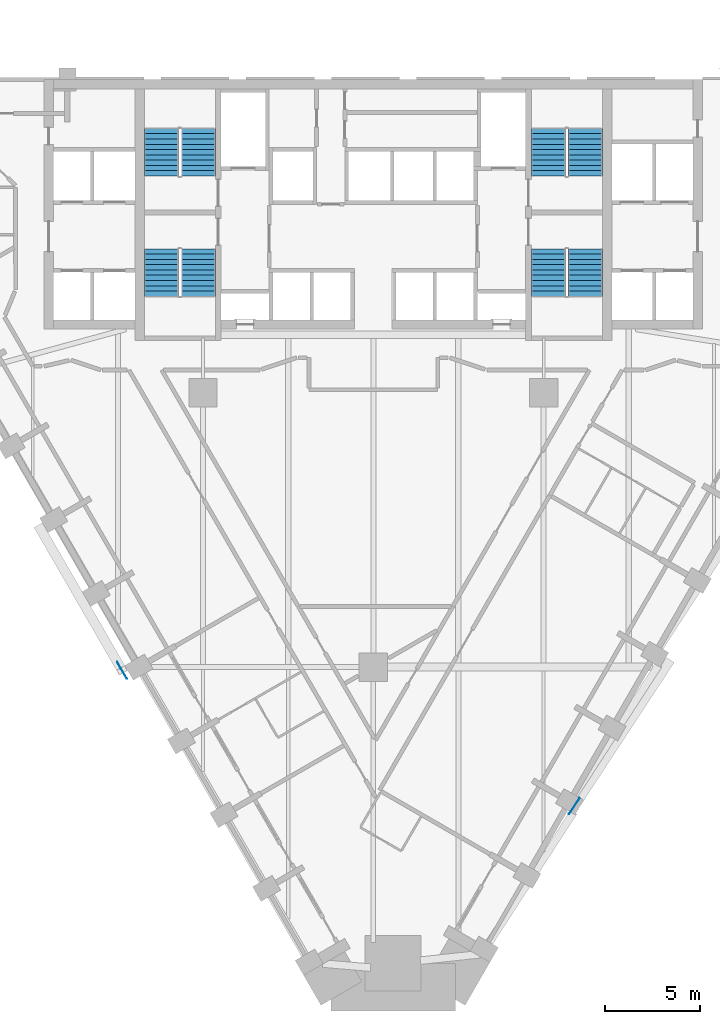
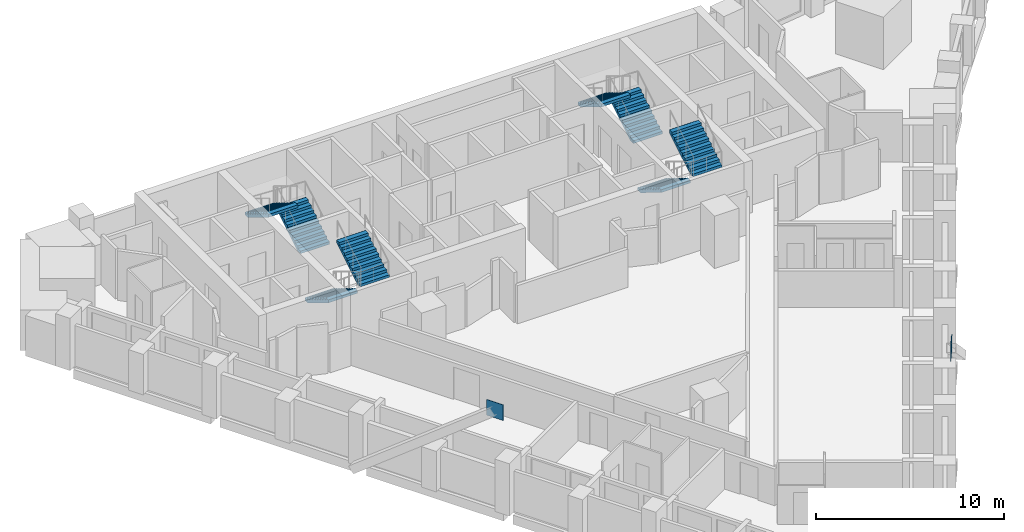
# One storey, part 9 of 10: 8 stair flights, 2 discrete accessories, 4 elements without a shape of their own.
"""IFC4 building model written with IfcOpenShell, lengths in metres."""

import ifcopenshell
import ifcopenshell.guid

model = None  # the IFC model being written
_history = None  # IfcOwnerHistory: only IFC2X3 demands one
_inside = {}  # id of a spatial element -> (the spatial element, [elements in it])
_under = {}  # id of a project, library or spatial element -> (it, [spatial elements below it])
_declared = {}  # id of a project -> (the project, [libraries it declares])
_typed = {}  # id of a type object -> (the type object, [elements of that type])
_made_of = {}  # id of a material, layer set ... -> (it, [elements and type objects made of it])


def new_model(schema):
    """Start an empty IFC model of exactly this schema.

    Asked for "IFC4X3", IfcOpenShell would pick the latest addendum, in which some entities
    have other attributes; the version numbers below select the first issue.
    IFC2X3 requires an IfcOwnerHistory on every rooted entity: one is made here for all.
    """
    global model, _history
    if schema == "IFC4X3":
        model = ifcopenshell.file(schema_version=(4, 3, 0, 0))
    else:
        model = ifcopenshell.file(schema=schema)
    _inside.clear()
    _under.clear()
    _declared.clear()
    _typed.clear()
    _made_of.clear()
    _history = None
    if model.schema == "IFC2X3":
        org = make("IfcOrganization", Name="unknown")
        user = make(
            "IfcPersonAndOrganization",
            ThePerson=make("IfcPerson", FamilyName="unknown"),
            TheOrganization=org,
        )
        app = make(
            "IfcApplication",
            ApplicationDeveloper=org,
            Version="unknown",
            ApplicationFullName="unknown",
            ApplicationIdentifier="unknown",
        )
        _history = make(
            "IfcOwnerHistory",
            OwningUser=user,
            OwningApplication=app,
            ChangeAction="ADDED",
            CreationDate=0,
        )
    return model


def make(cls, **values):
    """One entity of the class cls with the attributes given. An attribute that is None is left unset."""
    return model.create_entity(
        cls, **{name: value for name, value in values.items() if value is not None}
    )


def rooted(cls, **values):
    """An entity with a GlobalId (a new one), such as an element, a storey or a relation."""
    return make(cls, GlobalId=ifcopenshell.guid.new(), OwnerHistory=_history, **values)


def si_unit(unit_type, name, prefix=None):
    """IfcSIUnit, for example si_unit("LENGTHUNIT", "METRE", prefix="MILLI")."""
    return make("IfcSIUnit", UnitType=unit_type, Prefix=prefix, Name=name)


def assignment(units):
    """IfcUnitAssignment: the units of a project."""
    return None if units is None else make("IfcUnitAssignment", Units=units)


def point(xyz):
    """IfcCartesianPoint."""
    return None if xyz is None else make("IfcCartesianPoint", Coordinates=xyz)


def direction(xyz):
    """IfcDirection."""
    return None if xyz is None else make("IfcDirection", DirectionRatios=xyz)


def frame(location, z_axis=None, x_axis=None):
    """IfcAxis2Placement3D, a coordinate frame: its origin and axes. An axis left out is left unset."""
    return make(
        "IfcAxis2Placement3D",
        Location=point(location),
        Axis=direction(z_axis),
        RefDirection=direction(x_axis),
    )


def frame_2d(location, x_axis=None):
    """IfcAxis2Placement2D, a coordinate frame in the plane: its origin and x axis."""
    return make(
        "IfcAxis2Placement2D", Location=point(location), RefDirection=direction(x_axis)
    )


def origin():
    """The frame at (0, 0, 0) with its axes left unset."""
    return frame((0.0, 0.0, 0.0))


def origin_2d():
    """The frame at (0, 0) in the plane with its x axis left unset."""
    return frame_2d((0.0, 0.0))


def place(relative_to, where):
    """IfcLocalPlacement: puts the frame where relative to a parent placement (None: the world)."""
    return make(
        "IfcLocalPlacement", PlacementRelTo=relative_to, RelativePlacement=where
    )


def context(
    kind, dimensions, precision=None, world=None, true_north=None, identifier=None
):
    """IfcGeometricRepresentationContext, for example the 3D "Model" context."""
    return make(
        "IfcGeometricRepresentationContext",
        ContextIdentifier=identifier,
        ContextType=kind,
        CoordinateSpaceDimension=dimensions,
        Precision=precision,
        WorldCoordinateSystem=world,
        TrueNorth=true_north,
    )


def subcontext(parent, identifier, kind, view, scale=None):
    """IfcGeometricRepresentationSubContext, for example "Body" below "Model"."""
    return make(
        "IfcGeometricRepresentationSubContext",
        ContextIdentifier=identifier,
        ContextType=kind,
        ParentContext=parent,
        TargetScale=scale,
        TargetView=view,
    )


def project(units=None, contexts=None):
    """IfcProject with its units and contexts."""
    return rooted(
        "IfcProject",
        Name="project",
        RepresentationContexts=contexts,
        UnitsInContext=assignment(units),
    )


def spatial(cls, under=None, at=None, **own):
    """A site, building, storey or space (cls), placed at a placement, below another one or the project."""
    s = rooted(cls, ObjectPlacement=at, **own)
    if under is not None:
        _under.setdefault(under.id(), (under, []))[1].append(s)
    return s


def profile(cls, at=None, kind="AREA", **sizes):
    """A parametric profile (cls). Its sizes go by their IFC names, for example OverallWidth=200.0."""
    return make(cls, ProfileType=kind, Position=at, **sizes)


def rectangle(**sizes):
    """IfcRectangleProfileDef."""
    return profile("IfcRectangleProfileDef", **sizes)


def extrude(swept, where, along, depth):
    """IfcExtrudedAreaSolid: the profile swept, set in the frame where, extruded along a direction by depth."""
    return make(
        "IfcExtrudedAreaSolid",
        SweptArea=swept,
        Position=where,
        ExtrudedDirection=direction(along),
        Depth=depth,
    )


def faces_of(points, faces, orient=None, outer=None):
    """IfcFace entities. A face is a list of loops; a loop is a list of indices into points, from 0.

    orient and outer hold one flag for each loop. By default every Orientation is true, the
    first loop of a face is its IfcFaceOuterBound and the others are IfcFaceBound.
    """
    made = []
    for i, loops in enumerate(faces):
        bounds = []
        for j, loop in enumerate(loops):
            is_outer = j == 0 if outer is None else outer[i][j]
            bounds.append(
                make(
                    "IfcFaceOuterBound" if is_outer else "IfcFaceBound",
                    Bound=make("IfcPolyLoop", Polygon=[points[k] for k in loop]),
                    Orientation=True if orient is None else orient[i][j],
                )
            )
        made.append(make("IfcFace", Bounds=bounds))
    return made


def faceted_brep(points, faces, orient=None, outer=None, voids=None):
    """IfcFacetedBrep: a solid bounded by flat faces; with voids (closed shells), ...WithVoids."""
    shared = [point(p) for p in points]
    hull = make("IfcClosedShell", CfsFaces=faces_of(shared, faces, orient, outer))
    if voids is None:
        return make("IfcFacetedBrep", Outer=hull)
    return make(
        "IfcFacetedBrepWithVoids",
        Outer=hull,
        Voids=[
            make(cls, CfsFaces=faces_of(shared, fs, o, b)) for cls, fs, o, b in voids
        ],
    )


def shape(context_of_items, identifier, shape_type, items):
    """IfcShapeRepresentation: the items that make up one representation, for example the "Body"."""
    return make(
        "IfcShapeRepresentation",
        ContextOfItems=context_of_items,
        RepresentationIdentifier=identifier,
        RepresentationType=shape_type,
        Items=items,
    )


def source(mapping_origin, context_of_items, identifier, shape_type, items):
    """IfcRepresentationMap: a shape defined once, which mapped items show again and again."""
    return make(
        "IfcRepresentationMap",
        MappingOrigin=mapping_origin,
        MappedRepresentation=shape(context_of_items, identifier, shape_type, items),
    )


def transform(
    local_origin,
    x_axis=None,
    y_axis=None,
    z_axis=None,
    scale=None,
    scale2=None,
    scale3=None,
    uniform=True,
):
    """IfcCartesianTransformationOperator3D, or its non-uniform kind. x_axis, y_axis, z_axis: its Axis1, 2, 3."""
    if uniform:
        return make(
            "IfcCartesianTransformationOperator3D",
            Axis1=direction(x_axis),
            Axis2=direction(y_axis),
            LocalOrigin=point(local_origin),
            Scale=scale,
            Axis3=direction(z_axis),
        )
    return make(
        "IfcCartesianTransformationOperator3DnonUniform",
        Axis1=direction(x_axis),
        Axis2=direction(y_axis),
        LocalOrigin=point(local_origin),
        Scale=scale,
        Axis3=direction(z_axis),
        Scale2=scale2,
        Scale3=scale3,
    )


def mapped(mapping_source, mapping_target):
    """IfcMappedItem: shows the shape of a source again, moved by a transform."""
    return make(
        "IfcMappedItem", MappingSource=mapping_source, MappingTarget=mapping_target
    )


def material(Name=None, Category=None):
    """IfcMaterial."""
    return make("IfcMaterial", Name=Name, Category=Category)


def made_of(thing, what):
    """Note that an element or type object is made of a material, layer set ...; save() writes the relation."""
    if what is not None:
        _made_of.setdefault(what.id(), (what, []))[1].append(thing)
    return thing


def type_object(cls, material=None, **own):
    """A type object (cls), such as IfcWallType, which elements share."""
    return made_of(rooted(cls, **own), material)


def element(
    cls,
    number,
    at=None,
    inside=None,
    cuts=None,
    type_object=None,
    material=None,
    context=None,
    identifier="Body",
    shape_type=None,
    held_by="IfcProductDefinitionShape",
    body=None,
    shapes=None,
    **own,
):
    """One element of the class cls, such as IfcWall. Its Tag is "e" and its number.

    at: its placement. inside: the storey or other place that contains it. cuts: it is an
    opening in that element (IfcRelVoidsElement). A single representation is given by context,
    identifier, shape_type and body (its items); several are given by shapes. held_by: the class
    of the entity that holds the representations. save() writes the other relations.
    """
    e = rooted(cls, Tag="e%d" % number, ObjectPlacement=at, **own)
    if body is not None:
        shapes = [shape(context, identifier, shape_type, body)]
    if shapes is not None:
        e.Representation = make(held_by, Representations=shapes)
    if inside is not None:
        _inside.setdefault(inside.id(), (inside, []))[1].append(e)
    if cuts is not None:
        rooted(
            "IfcRelVoidsElement", RelatingBuildingElement=cuts, RelatedOpeningElement=e
        )
    if type_object is not None:
        _typed.setdefault(type_object.id(), (type_object, []))[1].append(e)
    return made_of(e, material)


def aggregate(whole, parts):
    """IfcRelAggregates: a whole, such as a stair, and the parts it consists of."""
    return rooted("IfcRelAggregates", RelatingObject=whole, RelatedObjects=parts)


def save(model, path):
    """Write the relations noted so far, then the file.

    IfcRelAggregates (storeys below a building ...), IfcRelContainedInSpatialStructure (elements
    in a storey), IfcRelDefinesByType, IfcRelAssociatesMaterial and IfcRelDeclares: one each for
    every whole, place, type object, material and project.
    """
    for whole, parts in _under.values():
        aggregate(whole, parts)
    for where, things in _inside.values():
        rooted(
            "IfcRelContainedInSpatialStructure",
            RelatedElements=things,
            RelatingStructure=where,
        )
    for kind, things in _typed.values():
        rooted("IfcRelDefinesByType", RelatedObjects=things, RelatingType=kind)
    for what, things in _made_of.values():
        rooted("IfcRelAssociatesMaterial", RelatedObjects=things, RelatingMaterial=what)
    for by, libraries in _declared.values():
        rooted("IfcRelDeclares", RelatingContext=by, RelatedDefinitions=libraries)
    model.write(path)


model = new_model("IFC4")

# Units and contexts
model_context = context("Model", 3, precision=1e-05, world=origin(), true_north=direction((0.0, 1.0)))
body_context = subcontext(model_context, "Body", "Model", "MODEL_VIEW")
ifc_project = project(units=[si_unit("LENGTHUNIT", "METRE"), si_unit("AREAUNIT", "SQUARE_METRE"), si_unit("VOLUMEUNIT", "CUBIC_METRE"), si_unit("PLANEANGLEUNIT", "RADIAN"), si_unit("MASSUNIT", "GRAM", prefix="KILO")], contexts=[model_context])

# Site, building, storey
site_placement = place(None, origin())
site = spatial("IfcSite", under=ifc_project, at=site_placement, CompositionType="ELEMENT")
building_placement = place(site_placement, origin())
building = spatial("IfcBuilding", under=site, at=building_placement, Name="Calabash Gate Tower", CompositionType="ELEMENT")
storey_placement = place(building_placement, frame((0.0, 0.0, 105.39990234375)))
storey = spatial("IfcBuildingStorey", under=building, at=storey_placement, Name="L23", CompositionType="ELEMENT", Elevation=105.39990234375)

# Stair, stair flights
ifc_material_1 = material(Name="Concrete C40/50", Category="concrete")
stair_type = type_object("IfcStairType", Name="Exit stair 20 risers of 170 mm", PredefinedType="HALF_TURN_STAIR", material=ifc_material_1)
stair_1_placement = place(storey_placement, origin())
stair_1 = element("IfcStair", 1, at=stair_1_placement, inside=storey, type_object=stair_type, Name="L23 Exit stair ST1", PredefinedType="HALF_TURN_STAIR")
ifc_material_2 = material(Name="Concrete C40/50", Category="concrete")
stair_flight_type = type_object("IfcStairFlightType", Name="Exit stair flight SFL", PredefinedType="STRAIGHT", material=ifc_material_2)
shared_shape = source(origin(), body_context, "Body", "Brep", [
    faceted_brep([(-0.0009765625, -0.89990234375, 0.0), (0.2880859375, -0.89990234375, 0.0), (2.511962890625, -0.89990234375, 1.3544921875), (-0.0009765625, 0.89990234375, 0.0), (2.511962890625, 0.89990234375, 1.3544921875), (0.2880859375, 0.89990234375, 0.0), (2.511962890625, -0.89990234375, 1.5419921875), (2.510986328125, -0.89990234375, 1.5419921875), (2.510986328125, 0.89990234375, 1.5419921875), (2.511962890625, 0.89990234375, 1.5419921875), (2.510986328125, -0.89990234375, 1.530029296875), (2.510986328125, 0.89990234375, 1.530029296875), (2.23193359375, -0.89990234375, 1.530029296875), (2.23193359375, 0.89990234375, 1.530029296875), (2.23193359375, -0.89990234375, 1.360107421875), (2.23193359375, 0.89990234375, 1.360107421875), (1.952880859375, -0.89990234375, 1.360107421875), (1.952880859375, 0.89990234375, 1.360107421875), (1.952880859375, -0.89990234375, 1.18994140625), (1.952880859375, 0.89990234375, 1.18994140625), (1.674072265625, -0.89990234375, 1.18994140625), (1.674072265625, -0.89990234375, 1.02001953125), (1.674072265625, 0.89990234375, 1.02001953125), (1.674072265625, 0.89990234375, 1.18994140625), (1.39501953125, -0.89990234375, 1.02001953125), (1.39501953125, -0.89990234375, 0.85009765625), (1.39501953125, 0.89990234375, 0.85009765625), (1.39501953125, 0.89990234375, 1.02001953125), (1.115966796875, -0.89990234375, 0.85009765625), (1.115966796875, -0.89990234375, 0.679931640625), (1.115966796875, 0.89990234375, 0.679931640625), (1.115966796875, 0.89990234375, 0.85009765625), (0.8369140625, -0.89990234375, 0.679931640625), (0.8369140625, -0.89990234375, 0.510009765625), (0.8369140625, 0.89990234375, 0.510009765625), (0.8369140625, 0.89990234375, 0.679931640625), (0.55810546875, -0.89990234375, 0.510009765625), (0.55810546875, -0.89990234375, 0.340087890625), (0.55810546875, 0.89990234375, 0.340087890625), (0.55810546875, 0.89990234375, 0.510009765625), (0.279052734375, -0.89990234375, 0.340087890625), (0.279052734375, -0.89990234375, 0.169921875), (0.279052734375, 0.89990234375, 0.169921875), (0.279052734375, 0.89990234375, 0.340087890625), (-0.0009765625, -0.89990234375, 0.169921875), (-0.0009765625, 0.89990234375, 0.169921875), (0.2880859375, -0.360107421875, 0.0), (2.511962890625, -0.360107421875, 1.3544921875), (0.2880859375, -0.179931640625, 0.0), (2.511962890625, -0.179931640625, 1.3544921875), (0.2880859375, 0.0, 0.0), (2.511962890625, 0.0, 1.3544921875), (0.2880859375, 0.179931640625, 0.0), (2.511962890625, 0.179931640625, 1.3544921875), (0.2880859375, 0.360107421875, 0.0), (2.511962890625, 0.360107421875, 1.3544921875), (2.511962890625, -0.360107421875, 1.5419921875), (2.511962890625, -0.179931640625, 1.5419921875), (2.511962890625, 0.0, 1.5419921875), (2.511962890625, 0.179931640625, 1.5419921875), (2.511962890625, 0.360107421875, 1.5419921875), (2.510986328125, -0.360107421875, 1.5419921875), (2.510986328125, -0.179931640625, 1.5419921875), (2.510986328125, 0.0, 1.5419921875), (2.510986328125, 0.179931640625, 1.5419921875), (2.510986328125, 0.360107421875, 1.5419921875), (2.510986328125, -0.360107421875, 1.530029296875), (2.510986328125, -0.179931640625, 1.530029296875), (2.510986328125, 0.0, 1.530029296875), (2.510986328125, 0.179931640625, 1.530029296875), (2.510986328125, 0.360107421875, 1.530029296875), (2.23193359375, -0.360107421875, 1.530029296875), (2.23193359375, -0.179931640625, 1.530029296875), (2.23193359375, 0.0, 1.530029296875), (2.23193359375, 0.179931640625, 1.530029296875), (2.23193359375, 0.360107421875, 1.530029296875), (2.23193359375, -0.360107421875, 1.360107421875), (2.23193359375, -0.179931640625, 1.360107421875), (2.23193359375, 0.0, 1.360107421875), (2.23193359375, 0.179931640625, 1.360107421875), (2.23193359375, 0.360107421875, 1.360107421875), (1.952880859375, -0.360107421875, 1.360107421875), (1.952880859375, -0.179931640625, 1.360107421875), (1.952880859375, 0.0, 1.360107421875), (1.952880859375, 0.179931640625, 1.360107421875), (1.952880859375, 0.360107421875, 1.360107421875), (1.952880859375, -0.360107421875, 1.18994140625), (1.952880859375, -0.179931640625, 1.18994140625), (1.952880859375, 0.0, 1.18994140625), (1.952880859375, 0.179931640625, 1.18994140625), (1.952880859375, 0.360107421875, 1.18994140625), (1.674072265625, -0.360107421875, 1.18994140625), (1.674072265625, -0.179931640625, 1.18994140625), (1.674072265625, 0.0, 1.18994140625), (1.674072265625, 0.179931640625, 1.18994140625), (1.674072265625, 0.360107421875, 1.18994140625), (1.674072265625, -0.360107421875, 1.02001953125), (1.674072265625, -0.179931640625, 1.02001953125), (1.674072265625, 0.0, 1.02001953125), (1.674072265625, 0.179931640625, 1.02001953125), (1.674072265625, 0.360107421875, 1.02001953125), (1.39501953125, -0.360107421875, 1.02001953125), (1.39501953125, -0.179931640625, 1.02001953125), (1.39501953125, 0.0, 1.02001953125), (1.39501953125, 0.179931640625, 1.02001953125), (1.39501953125, 0.360107421875, 1.02001953125), (1.39501953125, -0.360107421875, 0.85009765625), (1.39501953125, -0.179931640625, 0.85009765625), (1.39501953125, 0.0, 0.85009765625), (1.39501953125, 0.179931640625, 0.85009765625), (1.39501953125, 0.360107421875, 0.85009765625), (1.115966796875, -0.360107421875, 0.85009765625), (1.115966796875, -0.179931640625, 0.85009765625), (1.115966796875, 0.0, 0.85009765625), (1.115966796875, 0.179931640625, 0.85009765625), (1.115966796875, 0.360107421875, 0.85009765625), (1.115966796875, -0.360107421875, 0.679931640625), (1.115966796875, -0.179931640625, 0.679931640625), (1.115966796875, 0.0, 0.679931640625), (1.115966796875, 0.179931640625, 0.679931640625), (1.115966796875, 0.360107421875, 0.679931640625), (0.8369140625, -0.360107421875, 0.679931640625), (0.8369140625, -0.179931640625, 0.679931640625), (0.8369140625, 0.0, 0.679931640625), (0.8369140625, 0.179931640625, 0.679931640625), (0.8369140625, 0.360107421875, 0.679931640625), (0.8369140625, -0.360107421875, 0.510009765625), (0.8369140625, -0.179931640625, 0.510009765625), (0.8369140625, 0.0, 0.510009765625), (0.8369140625, 0.179931640625, 0.510009765625), (0.8369140625, 0.360107421875, 0.510009765625), (0.55810546875, -0.360107421875, 0.510009765625), (0.55810546875, -0.179931640625, 0.510009765625), (0.55810546875, 0.0, 0.510009765625), (0.55810546875, 0.179931640625, 0.510009765625), (0.55810546875, 0.360107421875, 0.510009765625), (0.55810546875, -0.360107421875, 0.340087890625), (0.55810546875, -0.179931640625, 0.340087890625), (0.55810546875, 0.0, 0.340087890625), (0.55810546875, 0.179931640625, 0.340087890625), (0.55810546875, 0.360107421875, 0.340087890625), (0.279052734375, -0.360107421875, 0.340087890625), (0.279052734375, -0.179931640625, 0.340087890625), (0.279052734375, 0.0, 0.340087890625), (0.279052734375, 0.179931640625, 0.340087890625), (0.279052734375, 0.360107421875, 0.340087890625), (0.279052734375, -0.360107421875, 0.169921875), (0.279052734375, -0.179931640625, 0.169921875), (0.279052734375, 0.0, 0.169921875), (0.279052734375, 0.179931640625, 0.169921875), (0.279052734375, 0.360107421875, 0.169921875), (-0.0009765625, -0.360107421875, 0.169921875), (-0.0009765625, -0.179931640625, 0.169921875), (-0.0009765625, 0.0, 0.169921875), (-0.0009765625, 0.179931640625, 0.169921875), (-0.0009765625, 0.360107421875, 0.169921875), (-0.0009765625, -0.360107421875, 0.0), (-0.0009765625, -0.179931640625, 0.0), (-0.0009765625, 0.0, 0.0), (-0.0009765625, 0.179931640625, 0.0), (-0.0009765625, 0.360107421875, 0.0)], [[[0, 1, 2]], [[3, 4, 5]], [[2, 6, 7]], [[4, 8, 9]], [[2, 7, 10]], [[4, 11, 8]], [[2, 10, 12]], [[4, 13, 11]], [[2, 12, 14]], [[4, 15, 13]], [[2, 14, 16]], [[4, 17, 15]], [[2, 16, 18]], [[4, 19, 17]], [[18, 20, 21]], [[19, 22, 23]], [[2, 18, 21]], [[4, 22, 19]], [[21, 24, 25]], [[22, 26, 27]], [[2, 21, 25]], [[4, 26, 22]], [[25, 28, 29]], [[26, 30, 31]], [[2, 25, 29]], [[4, 30, 26]], [[29, 32, 33]], [[30, 34, 35]], [[2, 29, 33]], [[4, 34, 30]], [[33, 36, 37]], [[34, 38, 39]], [[2, 33, 37]], [[4, 38, 34]], [[37, 40, 41]], [[38, 42, 43]], [[2, 37, 41]], [[4, 42, 38]], [[0, 2, 41]], [[3, 42, 4]], [[41, 44, 0]], [[42, 3, 45]], [[1, 46, 2]], [[46, 47, 2]], [[46, 48, 47]], [[48, 49, 47]], [[48, 50, 49]], [[50, 51, 49]], [[50, 52, 53]], [[50, 53, 51]], [[52, 54, 55]], [[52, 55, 53]], [[54, 5, 4]], [[54, 4, 55]], [[2, 47, 6]], [[47, 56, 6]], [[47, 49, 56]], [[49, 57, 56]], [[49, 51, 57]], [[51, 58, 57]], [[51, 53, 59]], [[51, 59, 58]], [[53, 55, 60]], [[53, 60, 59]], [[55, 4, 9]], [[55, 9, 60]], [[6, 56, 7]], [[56, 61, 7]], [[56, 57, 61]], [[57, 62, 61]], [[57, 58, 62]], [[58, 63, 62]], [[58, 59, 64]], [[58, 64, 63]], [[59, 60, 65]], [[59, 65, 64]], [[60, 9, 8]], [[60, 8, 65]], [[7, 61, 10]], [[61, 66, 10]], [[61, 62, 66]], [[62, 67, 66]], [[62, 63, 67]], [[63, 68, 67]], [[63, 64, 69]], [[63, 69, 68]], [[64, 65, 70]], [[64, 70, 69]], [[65, 8, 11]], [[65, 11, 70]], [[10, 66, 12]], [[66, 71, 12]], [[66, 67, 71]], [[67, 72, 71]], [[67, 68, 72]], [[68, 73, 72]], [[68, 69, 74]], [[68, 74, 73]], [[69, 70, 75]], [[69, 75, 74]], [[70, 11, 13]], [[70, 13, 75]], [[12, 71, 14]], [[71, 76, 14]], [[71, 72, 76]], [[72, 77, 76]], [[72, 73, 77]], [[73, 78, 77]], [[73, 74, 79]], [[73, 79, 78]], [[74, 75, 80]], [[74, 80, 79]], [[75, 13, 15]], [[75, 15, 80]], [[14, 76, 16]], [[76, 81, 16]], [[76, 77, 81]], [[77, 82, 81]], [[77, 78, 82]], [[78, 83, 82]], [[78, 79, 84]], [[78, 84, 83]], [[79, 80, 85]], [[79, 85, 84]], [[80, 15, 17]], [[80, 17, 85]], [[16, 81, 18]], [[81, 86, 18]], [[81, 82, 86]], [[82, 87, 86]], [[82, 83, 87]], [[83, 88, 87]], [[83, 84, 89]], [[83, 89, 88]], [[84, 85, 90]], [[84, 90, 89]], [[85, 17, 19]], [[85, 19, 90]], [[18, 86, 20]], [[86, 91, 20]], [[86, 87, 91]], [[87, 92, 91]], [[87, 88, 92]], [[88, 93, 92]], [[88, 89, 94]], [[88, 94, 93]], [[89, 90, 95]], [[89, 95, 94]], [[90, 19, 23]], [[90, 23, 95]], [[20, 91, 21]], [[91, 96, 21]], [[91, 92, 96]], [[92, 97, 96]], [[92, 93, 97]], [[93, 98, 97]], [[93, 94, 99]], [[93, 99, 98]], [[94, 95, 100]], [[94, 100, 99]], [[95, 23, 22]], [[95, 22, 100]], [[21, 96, 24]], [[96, 101, 24]], [[96, 97, 101]], [[97, 102, 101]], [[97, 98, 102]], [[98, 103, 102]], [[98, 99, 104]], [[98, 104, 103]], [[99, 100, 105]], [[99, 105, 104]], [[100, 22, 27]], [[100, 27, 105]], [[24, 101, 25]], [[101, 106, 25]], [[101, 102, 106]], [[102, 107, 106]], [[102, 103, 107]], [[103, 108, 107]], [[103, 104, 109]], [[103, 109, 108]], [[104, 105, 110]], [[104, 110, 109]], [[105, 27, 26]], [[105, 26, 110]], [[25, 106, 28]], [[106, 111, 28]], [[106, 107, 111]], [[107, 112, 111]], [[107, 108, 112]], [[108, 113, 112]], [[108, 109, 114]], [[108, 114, 113]], [[109, 110, 115]], [[109, 115, 114]], [[110, 26, 31]], [[110, 31, 115]], [[28, 111, 29]], [[111, 116, 29]], [[111, 112, 116]], [[112, 117, 116]], [[112, 113, 117]], [[113, 118, 117]], [[113, 114, 119]], [[113, 119, 118]], [[114, 115, 120]], [[114, 120, 119]], [[115, 31, 30]], [[115, 30, 120]], [[29, 116, 32]], [[116, 121, 32]], [[116, 117, 121]], [[117, 122, 121]], [[117, 118, 122]], [[118, 123, 122]], [[118, 119, 124]], [[118, 124, 123]], [[119, 120, 125]], [[119, 125, 124]], [[120, 30, 35]], [[120, 35, 125]], [[32, 121, 33]], [[121, 126, 33]], [[121, 122, 126]], [[122, 127, 126]], [[122, 123, 127]], [[123, 128, 127]], [[123, 124, 129]], [[123, 129, 128]], [[124, 125, 130]], [[124, 130, 129]], [[125, 35, 34]], [[125, 34, 130]], [[33, 126, 36]], [[126, 131, 36]], [[126, 127, 131]], [[127, 132, 131]], [[127, 128, 132]], [[128, 133, 132]], [[128, 129, 134]], [[128, 134, 133]], [[129, 130, 135]], [[129, 135, 134]], [[130, 34, 39]], [[130, 39, 135]], [[36, 131, 37]], [[131, 136, 37]], [[131, 132, 136]], [[132, 137, 136]], [[132, 133, 137]], [[133, 138, 137]], [[133, 134, 139]], [[133, 139, 138]], [[134, 135, 140]], [[134, 140, 139]], [[135, 39, 38]], [[135, 38, 140]], [[37, 136, 40]], [[136, 141, 40]], [[136, 137, 141]], [[137, 142, 141]], [[137, 138, 142]], [[138, 143, 142]], [[138, 139, 144]], [[138, 144, 143]], [[139, 140, 145]], [[139, 145, 144]], [[140, 38, 43]], [[140, 43, 145]], [[40, 141, 41]], [[141, 146, 41]], [[141, 142, 146]], [[142, 147, 146]], [[142, 143, 147]], [[143, 148, 147]], [[143, 144, 149]], [[143, 149, 148]], [[144, 145, 150]], [[144, 150, 149]], [[145, 43, 42]], [[145, 42, 150]], [[41, 146, 44]], [[146, 151, 44]], [[146, 147, 151]], [[147, 152, 151]], [[147, 148, 152]], [[148, 153, 152]], [[148, 149, 154]], [[148, 154, 153]], [[149, 150, 155]], [[149, 155, 154]], [[150, 42, 45]], [[150, 45, 155]], [[44, 151, 0]], [[151, 156, 0]], [[151, 152, 156]], [[152, 157, 156]], [[152, 153, 157]], [[153, 158, 157]], [[153, 154, 159]], [[153, 159, 158]], [[154, 155, 160]], [[154, 160, 159]], [[155, 45, 3]], [[155, 3, 160]], [[0, 156, 1]], [[156, 46, 1]], [[156, 157, 46]], [[157, 48, 46]], [[157, 158, 48]], [[158, 50, 48]], [[158, 159, 52]], [[158, 52, 50]], [[159, 160, 54]], [[159, 54, 52]], [[160, 3, 5]], [[160, 5, 54]]]),
])
stair_flight_1_placement = place(storey_placement, frame((-9.25, 13.95263671875, 0.0), z_axis=(0.0, 0.0, 1.0), x_axis=(0.0, 1.0, 0.0)))
stair_flight_1 = element("IfcStairFlight", 2, at=stair_flight_1_placement, type_object=stair_flight_type, Name="ST1 flight 1", NumberOfRisers=10, NumberOfTreads=9, PredefinedType="STRAIGHT", RiserHeight=0.17, TreadLength=0.279, context=body_context, shape_type="MappedRepresentation", body=[
    mapped(shared_shape, transform((0.0, 0.0, 0.0), scale=1.0)),
])
stair_flight_2_placement = place(storey_placement, frame((-11.199951171875, 16.463623046875, 1.7001953125), z_axis=(0.0, 0.0, 1.0), x_axis=(0.0, -1.0, 0.0)))
stair_flight_2 = element("IfcStairFlight", 3, at=stair_flight_2_placement, type_object=stair_flight_type, Name="ST1 flight 2", NumberOfRisers=10, NumberOfTreads=9, PredefinedType="STRAIGHT", RiserHeight=0.17, TreadLength=0.279, context=body_context, shape_type="MappedRepresentation", body=[
    mapped(shared_shape, transform((0.0, 0.0, 0.0), scale=1.0)),
])
aggregate(stair_1, [stair_flight_1, stair_flight_2])

stair_2_placement = place(storey_placement, origin())
stair_2 = element("IfcStair", 4, at=stair_2_placement, inside=storey, type_object=stair_type, Name="L23 Exit stair ST2", PredefinedType="HALF_TURN_STAIR")
stair_flight_3_placement = place(storey_placement, frame((-11.199951171875, 10.1025390625, 0.0), z_axis=(0.0, 0.0, 1.0), x_axis=(0.0, -1.0, 0.0)))
stair_flight_3 = element("IfcStairFlight", 5, at=stair_flight_3_placement, type_object=stair_flight_type, Name="ST2 flight 1", NumberOfRisers=10, NumberOfTreads=9, PredefinedType="STRAIGHT", RiserHeight=0.17, TreadLength=0.279, context=body_context, shape_type="MappedRepresentation", body=[
    mapped(shared_shape, transform((0.0, 0.0, 0.0), scale=1.0)),
])
stair_flight_4_placement = place(storey_placement, frame((-9.25, 7.591552734375, 1.7001953125), z_axis=(0.0, 0.0, 1.0), x_axis=(0.0, 1.0, 0.0)))
stair_flight_4 = element("IfcStairFlight", 6, at=stair_flight_4_placement, type_object=stair_flight_type, Name="ST2 flight 2", NumberOfRisers=10, NumberOfTreads=9, PredefinedType="STRAIGHT", RiserHeight=0.17, TreadLength=0.279, context=body_context, shape_type="MappedRepresentation", body=[
    mapped(shared_shape, transform((0.0, 0.0, 0.0), scale=1.0)),
])
aggregate(stair_2, [stair_flight_3, stair_flight_4])

stair_3_placement = place(storey_placement, origin())
stair_3 = element("IfcStair", 7, at=stair_3_placement, inside=storey, type_object=stair_type, Name="L23 Exit stair ST3", PredefinedType="HALF_TURN_STAIR")
stair_flight_5_placement = place(storey_placement, frame((11.199951171875, 13.95263671875, 0.0), z_axis=(0.0, 0.0, 1.0), x_axis=(0.0, 1.0, 0.0)))
stair_flight_5 = element("IfcStairFlight", 8, at=stair_flight_5_placement, type_object=stair_flight_type, Name="ST3 flight 1", NumberOfRisers=10, NumberOfTreads=9, PredefinedType="STRAIGHT", RiserHeight=0.17, TreadLength=0.279, context=body_context, shape_type="MappedRepresentation", body=[
    mapped(shared_shape, transform((0.0, 0.0, 0.0), scale=1.0)),
])
stair_flight_6_placement = place(storey_placement, frame((9.25, 16.463623046875, 1.7001953125), z_axis=(0.0, 0.0, 1.0), x_axis=(0.0, -1.0, 0.0)))
stair_flight_6 = element("IfcStairFlight", 9, at=stair_flight_6_placement, type_object=stair_flight_type, Name="ST3 flight 2", NumberOfRisers=10, NumberOfTreads=9, PredefinedType="STRAIGHT", RiserHeight=0.17, TreadLength=0.279, context=body_context, shape_type="MappedRepresentation", body=[
    mapped(shared_shape, transform((0.0, 0.0, 0.0), scale=1.0)),
])
aggregate(stair_3, [stair_flight_5, stair_flight_6])

stair_4_placement = place(storey_placement, origin())
stair_4 = element("IfcStair", 10, at=stair_4_placement, inside=storey, type_object=stair_type, Name="L23 Exit stair ST4", PredefinedType="HALF_TURN_STAIR")
stair_flight_7_placement = place(storey_placement, frame((9.25, 10.1025390625, 0.0), z_axis=(0.0, 0.0, 1.0), x_axis=(0.0, -1.0, 0.0)))
stair_flight_7 = element("IfcStairFlight", 11, at=stair_flight_7_placement, type_object=stair_flight_type, Name="ST4 flight 1", NumberOfRisers=10, NumberOfTreads=9, PredefinedType="STRAIGHT", RiserHeight=0.17, TreadLength=0.279, context=body_context, shape_type="MappedRepresentation", body=[
    mapped(shared_shape, transform((0.0, 0.0, 0.0), scale=1.0)),
])
stair_flight_8_placement = place(storey_placement, frame((11.199951171875, 7.591552734375, 1.7001953125), z_axis=(0.0, 0.0, 1.0), x_axis=(0.0, 1.0, 0.0)))
stair_flight_8 = element("IfcStairFlight", 12, at=stair_flight_8_placement, type_object=stair_flight_type, Name="ST4 flight 2", NumberOfRisers=10, NumberOfTreads=9, PredefinedType="STRAIGHT", RiserHeight=0.17, TreadLength=0.279, context=body_context, shape_type="MappedRepresentation", body=[
    mapped(shared_shape, transform((0.0, 0.0, 0.0), scale=1.0)),
])
aggregate(stair_4, [stair_flight_7, stair_flight_8])

# Discrete accessories
ifc_material_3 = material(Name="Steel ASTM A572 Gr50", Category="steel")
discrete_accessory_type = type_object("IfcDiscreteAccessoryType", Name="Connection plate 25", PredefinedType="BRACKET", material=ifc_material_3)
for number, where, z_axis, x_axis, name in (
    (13, (-13.278564453125, -12.173583984375, 6.293701171875), (0.0, 0.0, 1.0), (0.499999924425, -0.866025447418, 0.0), "Connection plate Mega-brace SW Z2 13 end"),
    (14, (10.62646484375, -19.3408203125, 6.293701171875), (0.0, 0.0, 1.0), (-0.548470368225, -0.836169991796, 0.0), "Connection plate Mega-brace SE Z2 18 end"),
):
    element("IfcDiscreteAccessory", number, at=place(storey_placement, frame(where, z_axis=z_axis, x_axis=x_axis)), inside=storey, type_object=discrete_accessory_type, Name=name, PredefinedType="BRACKET", context=body_context, shape_type="SweptSolid", body=[
        extrude(rectangle(XDim=1.0126953125, YDim=0.02490234375, at=origin_2d()), origin(), (0.0, 0.0, 1.0), 1.0126953125),
    ])

save(model, "model.ifc")
